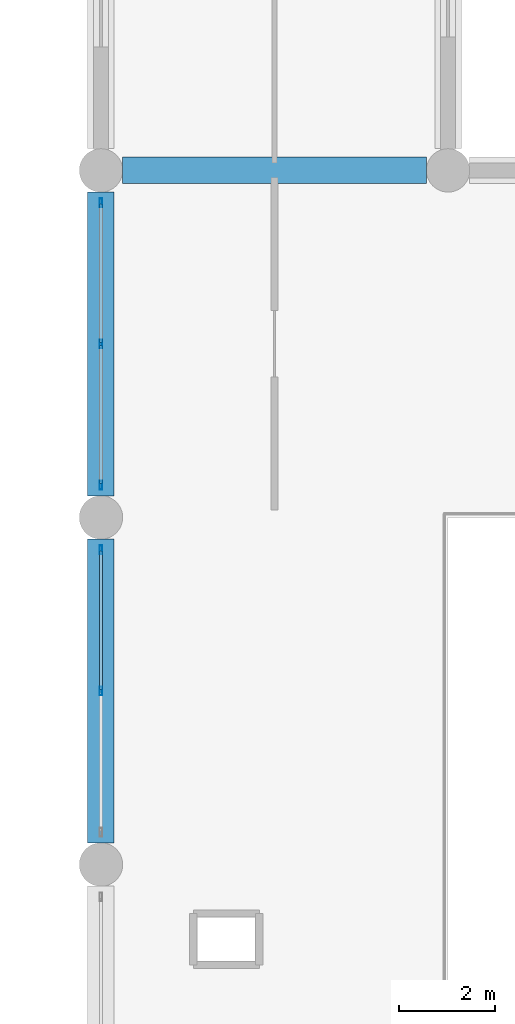
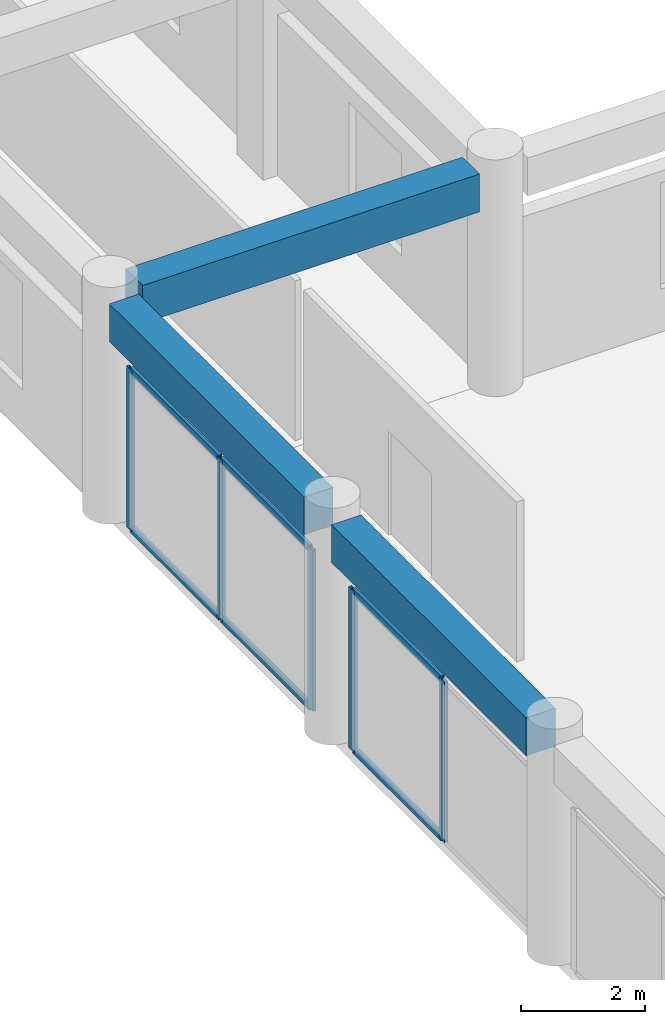
# One storey, part 8 of 54: 11 members, 3 beams, 2 elements without a shape of their own.
"""IFC4 building model written with IfcOpenShell, lengths in metres."""

from ifc_helpers import new_model, si_unit, direction, frame, origin, origin_2d, place, context, subcontext, project, spatial, rectangle, hollow_rectangle, extrude, material, material_profile, profile_set, type_object, element, aggregate, save


model = new_model("IFC4")

# Units and contexts
model_context = context("Model", 3, precision=1e-05, world=origin(), true_north=direction((0.0, 1.0)))
body_context = subcontext(model_context, "Body", "Model", "MODEL_VIEW")
ifc_project = project(units=[si_unit("LENGTHUNIT", "METRE"), si_unit("AREAUNIT", "SQUARE_METRE"), si_unit("VOLUMEUNIT", "CUBIC_METRE"), si_unit("PLANEANGLEUNIT", "RADIAN"), si_unit("MASSUNIT", "GRAM", prefix="KILO")], contexts=[model_context])

# Site, building, storey
site_placement = place(None, origin())
site = spatial("IfcSite", under=ifc_project, at=site_placement, CompositionType="ELEMENT")
building_placement = place(site_placement, origin())
building = spatial("IfcBuilding", under=site, at=building_placement, Name="Kazehaya Institute of Natural Sciences", CompositionType="ELEMENT")
storey_placement = place(building_placement, frame((0.0, 0.0, 10.43994140625)))
storey = spatial("IfcBuildingStorey", under=building, at=storey_placement, Name="L02", CompositionType="ELEMENT", Elevation=10.43994140625)

# Beams
ifc_material_1 = material(Name="Concrete Fc36", Category="concrete")
ifc_material_profile_1 = material_profile(ifc_material_1, rectangle(XDim=0.550048828125, YDim=0.75, at=origin_2d()), Name="RC-550x750")
ifc_profile_set_1 = profile_set([ifc_material_profile_1], Name="Concrete Fc36")
beam_type = type_object("IfcBeamType", Name="BM-G-550x750", PredefinedType="BEAM", material=ifc_profile_set_1)
for number, where, z_axis, x_axis, name in (
    (1, (62.25, 64.39990234375, 4.03515625), (1.0, 0.0, 0.0), (0.0, 1.0, 0.0), "L02 primary X girder BMX-L02-618-644"),
    (2, (61.800048828125, 50.449951171875, 4.03515625), (0.0, 1.0, 0.0), (-1.0, 0.0, 0.0), "L02 primary Y girder BMY-L02-618-500"),
    (3, (61.800048828125, 57.64990234375, 4.03515625), (0.0, 1.0, 0.0), (-1.0, 0.0, 0.0), "L02 primary Y girder BMY-L02-618-572"),
):
    element("IfcBeam", number, at=place(storey_placement, frame(where, z_axis=z_axis, x_axis=x_axis)), inside=storey, type_object=beam_type, Name=name, PredefinedType="BEAM", context=body_context, shape_type="SweptSolid", body=[
        extrude(rectangle(XDim=0.550048828125, YDim=0.75, at=origin_2d()), origin(), (0.0, 0.0, 1.0), 6.300048828125),
    ])

# Curtain wall, members
ifc_material_2 = material(Name="Aluminium alloy A6063S-T5", Category="aluminium")
curtain_wall_type = type_object("IfcCurtainWallType", Name="CW-SYS-03", PredefinedType="NOTDEFINED", material=ifc_material_2)
curtain_wall_1_placement = place(storey_placement, origin())
curtain_wall_1 = element("IfcCurtainWall", 4, at=curtain_wall_1_placement, inside=storey, type_object=curtain_wall_type, Name="L02 unitised curtain wall CW-L02-027", PredefinedType="NOTDEFINED")
ifc_material_profile_2 = material_profile(ifc_material_2, hollow_rectangle(XDim=0.06005859375, YDim=0.179931640625, WallThickness=0.00390625, at=origin_2d()), Name="ALU-60x180x4")
ifc_profile_set_2 = profile_set([ifc_material_profile_2], Name="Aluminium alloy A6063S-T5")
member_type_1 = type_object("IfcMemberType", Name="CWM-180", PredefinedType="MULLION", material=ifc_profile_set_2)
member_1_placement = place(storey_placement, frame((61.800048828125, 53.60009765625, 0.0), z_axis=(0.0, 0.0, 1.0), x_axis=(-1.0, 0.0, 0.0)))
member_1 = element("IfcMember", 5, at=member_1_placement, type_object=member_type_1, Name="CW03 mullion 2", PredefinedType="MULLION", context=body_context, shape_type="SweptSolid", body=[
    extrude(hollow_rectangle(XDim=0.06005859375, YDim=0.179931640625, WallThickness=0.00390625, at=origin_2d()), origin(), (0.0, 0.0, 1.0), 3.18017578125),
])
member_2_placement = place(storey_placement, frame((61.800048828125, 56.530029296875, 0.0), z_axis=(0.0, 0.0, 1.0), x_axis=(-1.0, 0.0, 0.0)))
member_2 = element("IfcMember", 6, at=member_2_placement, type_object=member_type_1, Name="CW03 mullion 3", PredefinedType="MULLION", context=body_context, shape_type="SweptSolid", body=[
    extrude(hollow_rectangle(XDim=0.06005859375, YDim=0.179931640625, WallThickness=0.00390625, at=origin_2d()), origin(), (0.0, 0.0, 1.0), 3.18017578125),
])

curtain_wall_2_placement = place(storey_placement, origin())
curtain_wall_2 = element("IfcCurtainWall", 7, at=curtain_wall_2_placement, inside=storey, type_object=curtain_wall_type, Name="L02 unitised curtain wall CW-L02-029", PredefinedType="NOTDEFINED")
member_3_placement = place(storey_placement, frame((61.800048828125, 57.8701171875, 0.0), z_axis=(0.0, 0.0, 1.0), x_axis=(-1.0, 0.0, 0.0)))
member_3 = element("IfcMember", 8, at=member_3_placement, type_object=member_type_1, Name="CW03 mullion 1", PredefinedType="MULLION", context=body_context, shape_type="SweptSolid", body=[
    extrude(hollow_rectangle(XDim=0.06005859375, YDim=0.179931640625, WallThickness=0.00390625, at=origin_2d()), origin(), (0.0, 0.0, 1.0), 3.18017578125),
])
member_4_placement = place(storey_placement, frame((61.800048828125, 60.800048828125, 0.0), z_axis=(0.0, 0.0, 1.0), x_axis=(-1.0, 0.0, 0.0)))
member_4 = element("IfcMember", 9, at=member_4_placement, type_object=member_type_1, Name="CW03 mullion 2", PredefinedType="MULLION", context=body_context, shape_type="SweptSolid", body=[
    extrude(hollow_rectangle(XDim=0.06005859375, YDim=0.179931640625, WallThickness=0.00390625, at=origin_2d()), origin(), (0.0, 0.0, 1.0), 3.18017578125),
])
member_5_placement = place(storey_placement, frame((61.800048828125, 63.72998046875, 0.0), z_axis=(0.0, 0.0, 1.0), x_axis=(-1.0, 0.0, 0.0)))
member_5 = element("IfcMember", 10, at=member_5_placement, type_object=member_type_1, Name="CW03 mullion 3", PredefinedType="MULLION", context=body_context, shape_type="SweptSolid", body=[
    extrude(hollow_rectangle(XDim=0.06005859375, YDim=0.179931640625, WallThickness=0.00390625, at=origin_2d()), origin(), (0.0, 0.0, 1.0), 3.18017578125),
])

# Member
ifc_material_profile_3 = material_profile(ifc_material_2, hollow_rectangle(XDim=0.06005859375, YDim=0.139892578125, WallThickness=0.00341796875, at=origin_2d()), Name="ALU-60x140x3.5")
ifc_profile_set_3 = profile_set([ifc_material_profile_3], Name="Aluminium alloy A6063S-T5")
member_type_2 = type_object("IfcMemberType", Name="CWT-140", PredefinedType="USERDEFINED", material=ifc_profile_set_3)
member_6_placement = place(storey_placement, frame((61.800048828125, 53.6298828125, 0.030029296875), z_axis=(0.0, 1.0, 0.0), x_axis=(-1.0, 0.0, 0.0)))
member_6 = element("IfcMember", 11, at=member_6_placement, type_object=member_type_2, Name="CW03 transom 2.1", ObjectType="TRANSOM", PredefinedType="USERDEFINED", context=body_context, shape_type="SweptSolid", body=[
    extrude(hollow_rectangle(XDim=0.06005859375, YDim=0.139892578125, WallThickness=0.00341796875, at=origin_2d()), origin(), (0.0, 0.0, 1.0), 2.8701171875),
])

member_7_placement = place(storey_placement, frame((61.800048828125, 53.6298828125, 3.150146484375), z_axis=(0.0, 1.0, 0.0), x_axis=(-1.0, 0.0, 0.0)))
member_7 = element("IfcMember", 12, at=member_7_placement, type_object=member_type_2, Name="CW03 transom 2.2", ObjectType="TRANSOM", PredefinedType="USERDEFINED", context=body_context, shape_type="SweptSolid", body=[
    extrude(hollow_rectangle(XDim=0.06005859375, YDim=0.139892578125, WallThickness=0.00341796875, at=origin_2d()), origin(), (0.0, 0.0, 1.0), 2.8701171875),
])

aggregate(curtain_wall_1, [member_1, member_2, member_6, member_7])

member_8_placement = place(storey_placement, frame((61.800048828125, 57.89990234375, 0.030029296875), z_axis=(0.0, 1.0, 0.0), x_axis=(-1.0, 0.0, 0.0)))
member_8 = element("IfcMember", 13, at=member_8_placement, type_object=member_type_2, Name="CW03 transom 1.1", ObjectType="TRANSOM", PredefinedType="USERDEFINED", context=body_context, shape_type="SweptSolid", body=[
    extrude(hollow_rectangle(XDim=0.06005859375, YDim=0.139892578125, WallThickness=0.00341796875, at=origin_2d()), origin(), (0.0, 0.0, 1.0), 2.8701171875),
])

member_9_placement = place(storey_placement, frame((61.800048828125, 57.89990234375, 3.150146484375), z_axis=(0.0, 1.0, 0.0), x_axis=(-1.0, 0.0, 0.0)))
member_9 = element("IfcMember", 14, at=member_9_placement, type_object=member_type_2, Name="CW03 transom 1.2", ObjectType="TRANSOM", PredefinedType="USERDEFINED", context=body_context, shape_type="SweptSolid", body=[
    extrude(hollow_rectangle(XDim=0.06005859375, YDim=0.139892578125, WallThickness=0.00341796875, at=origin_2d()), origin(), (0.0, 0.0, 1.0), 2.8701171875),
])

member_10_placement = place(storey_placement, frame((61.800048828125, 60.830078125, 0.030029296875), z_axis=(0.0, 1.0, 0.0), x_axis=(-1.0, 0.0, 0.0)))
member_10 = element("IfcMember", 15, at=member_10_placement, type_object=member_type_2, Name="CW03 transom 2.1", ObjectType="TRANSOM", PredefinedType="USERDEFINED", context=body_context, shape_type="SweptSolid", body=[
    extrude(hollow_rectangle(XDim=0.06005859375, YDim=0.139892578125, WallThickness=0.00341796875, at=origin_2d()), origin(), (0.0, 0.0, 1.0), 2.869873046875),
])

member_11_placement = place(storey_placement, frame((61.800048828125, 60.830078125, 3.150146484375), z_axis=(0.0, 1.0, 0.0), x_axis=(-1.0, 0.0, 0.0)))
member_11 = element("IfcMember", 16, at=member_11_placement, type_object=member_type_2, Name="CW03 transom 2.2", ObjectType="TRANSOM", PredefinedType="USERDEFINED", context=body_context, shape_type="SweptSolid", body=[
    extrude(hollow_rectangle(XDim=0.06005859375, YDim=0.139892578125, WallThickness=0.00341796875, at=origin_2d()), origin(), (0.0, 0.0, 1.0), 2.869873046875),
])

aggregate(curtain_wall_2, [member_3, member_4, member_5, member_8, member_9, member_10, member_11])

save(model, "model.ifc")
